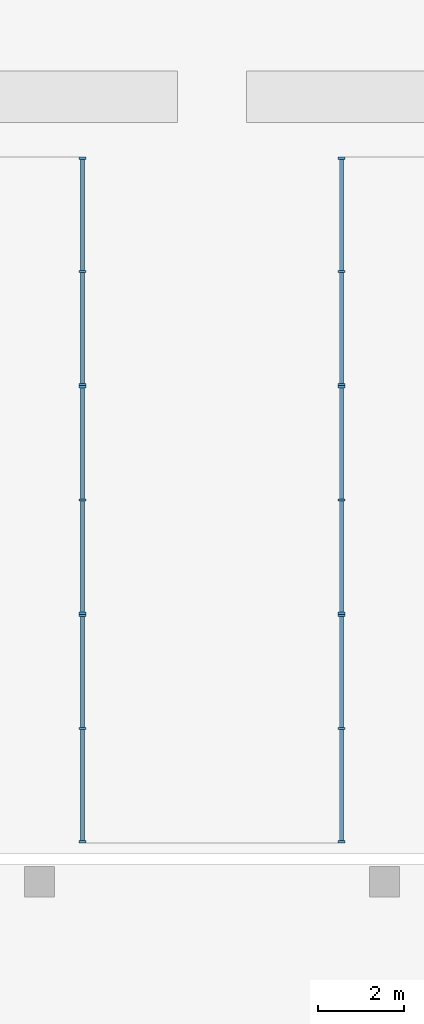
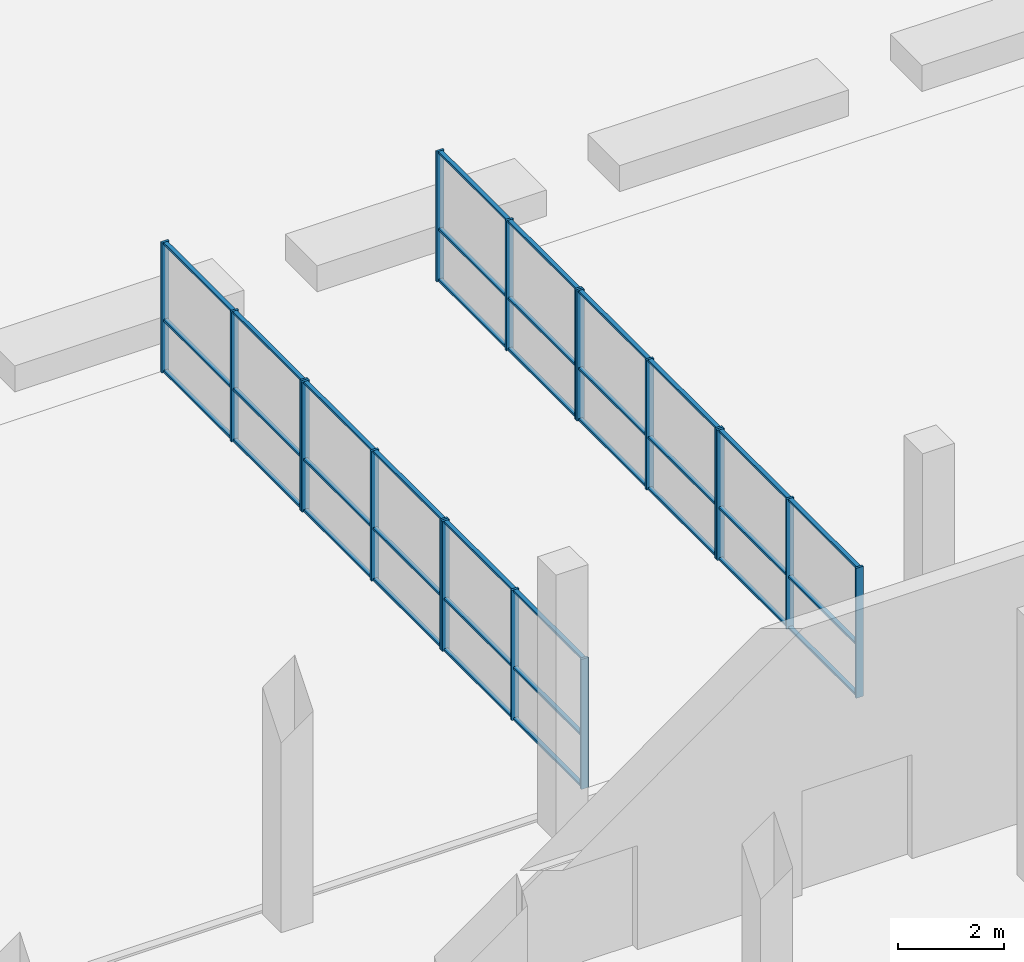
# One storey, part 2 of 51: 54 members, 6 elements without a shape of their own.
"""IFC4 building model written with IfcOpenShell, lengths in metres."""

from ifc_helpers import new_model, si_unit, direction, frame, origin, origin_2d, place, context, subcontext, project, spatial, rectangle, extrude, material, layer, layer_set, material_profile, profile_set, type_object, element, aggregate, save


model = new_model("IFC4")

# Units and contexts
model_context = context("Model", 3, precision=1e-05, world=origin(), true_north=direction((0.0, 1.0)))
body_context = subcontext(model_context, "Body", "Model", "MODEL_VIEW")
ifc_project = project(units=[si_unit("LENGTHUNIT", "METRE"), si_unit("AREAUNIT", "SQUARE_METRE"), si_unit("VOLUMEUNIT", "CUBIC_METRE"), si_unit("PLANEANGLEUNIT", "RADIAN"), si_unit("MASSUNIT", "GRAM", prefix="KILO")], contexts=[model_context])

# Site, building, storey
site_placement = place(None, origin())
site = spatial("IfcSite", under=ifc_project, at=site_placement, CompositionType="ELEMENT")
building_placement = place(site_placement, origin())
building = spatial("IfcBuilding", under=site, at=building_placement, Name="Kiln Ring Residences", CompositionType="ELEMENT")
storey_placement = place(building_placement, origin())
storey = spatial("IfcBuildingStorey", under=building, at=storey_placement, Name="L00", CompositionType="ELEMENT", Elevation=0.0)

# Curtain wall, members
ifc_material_1 = material(Name="Aluminium and glass", Category="aluminium")
ifc_layer = layer(ifc_material_1, 0.159912109375)
ifc_layer_set = layer_set([ifc_layer], Name="CW6 CURTAIN WALL")
curtain_wall_type = type_object("IfcCurtainWallType", Name="CW6 CURTAIN WALL", PredefinedType="NOTDEFINED", material=ifc_layer_set)
placement = place(storey_placement, origin())
curtain_wall_1 = element("IfcCurtainWall", 1, at=placement, inside=storey, type_object=curtain_wall_type, Name="Curtain wall CW6 L00", PredefinedType="NOTDEFINED")
ifc_material_2 = material(Name="Aluminium 6063-T6", Category="aluminium")
ifc_material_profile_1 = material_profile(ifc_material_2, rectangle(XDim=0.159912109375, YDim=0.050048828125, at=origin_2d()), Name="AL 160x50")
ifc_profile_set_1 = profile_set([ifc_material_profile_1], Name="Aluminium 6063-T6")
member_type_1 = type_object("IfcMemberType", Name="CW6 MULLION 160 x 50", PredefinedType="MULLION", material=ifc_profile_set_1)
member_1_placement = place(storey_placement, frame((-3.0, -96.02490234375, 0.0), z_axis=(0.0, 0.0, 1.0), x_axis=(1.0, 0.0, 0.0)))
member_1 = element("IfcMember", 2, at=member_1_placement, type_object=member_type_1, Name="CW6 mullion 1", PredefinedType="MULLION", context=body_context, shape_type="SweptSolid", body=[
    extrude(rectangle(XDim=0.159912109375, YDim=0.050048828125, at=origin_2d()), origin(), (0.0, 0.0, 1.0), 3.0),
])
member_2_placement = place(storey_placement, frame((-3.0, -98.64990234375, 0.0), z_axis=(0.0, 0.0, 1.0), x_axis=(1.0, 0.0, 0.0)))
member_2 = element("IfcMember", 3, at=member_2_placement, type_object=member_type_1, Name="CW6 mullion 2", PredefinedType="MULLION", context=body_context, shape_type="SweptSolid", body=[
    extrude(rectangle(XDim=0.159912109375, YDim=0.050048828125, at=origin_2d()), origin(), (0.0, 0.0, 1.0), 3.0),
])
member_3_placement = place(storey_placement, frame((-3.0, -101.27490234375, 0.0), z_axis=(0.0, 0.0, 1.0), x_axis=(1.0, 0.0, 0.0)))
member_3 = element("IfcMember", 4, at=member_3_placement, type_object=member_type_1, Name="CW6 mullion 3", PredefinedType="MULLION", context=body_context, shape_type="SweptSolid", body=[
    extrude(rectangle(XDim=0.159912109375, YDim=0.050048828125, at=origin_2d()), origin(), (0.0, 0.0, 1.0), 3.0),
])

curtain_wall_2 = element("IfcCurtainWall", 5, at=placement, inside=storey, type_object=curtain_wall_type, Name="Curtain wall CW6 L00", PredefinedType="NOTDEFINED")
member_4_placement = place(storey_placement, frame((-3.0, -101.324951171875, 0.0), z_axis=(0.0, 0.0, 1.0), x_axis=(1.0, 0.0, 0.0)))
member_4 = element("IfcMember", 6, at=member_4_placement, type_object=member_type_1, Name="CW6 mullion 1", PredefinedType="MULLION", context=body_context, shape_type="SweptSolid", body=[
    extrude(rectangle(XDim=0.159912109375, YDim=0.050048828125, at=origin_2d()), origin(), (0.0, 0.0, 1.0), 3.0),
])
member_5_placement = place(storey_placement, frame((-3.0, -103.949951171875, 0.0), z_axis=(0.0, 0.0, 1.0), x_axis=(1.0, 0.0, 0.0)))
member_5 = element("IfcMember", 7, at=member_5_placement, type_object=member_type_1, Name="CW6 mullion 2", PredefinedType="MULLION", context=body_context, shape_type="SweptSolid", body=[
    extrude(rectangle(XDim=0.159912109375, YDim=0.050048828125, at=origin_2d()), origin(), (0.0, 0.0, 1.0), 3.0),
])
member_6_placement = place(storey_placement, frame((-3.0, -106.574951171875, 0.0), z_axis=(0.0, 0.0, 1.0), x_axis=(1.0, 0.0, 0.0)))
member_6 = element("IfcMember", 8, at=member_6_placement, type_object=member_type_1, Name="CW6 mullion 3", PredefinedType="MULLION", context=body_context, shape_type="SweptSolid", body=[
    extrude(rectangle(XDim=0.159912109375, YDim=0.050048828125, at=origin_2d()), origin(), (0.0, 0.0, 1.0), 3.0),
])

curtain_wall_3 = element("IfcCurtainWall", 9, at=placement, inside=storey, type_object=curtain_wall_type, Name="Curtain wall CW6 L00", PredefinedType="NOTDEFINED")
member_7_placement = place(storey_placement, frame((-3.0, -106.625, 0.0), z_axis=(0.0, 0.0, 1.0), x_axis=(1.0, 0.0, 0.0)))
member_7 = element("IfcMember", 10, at=member_7_placement, type_object=member_type_1, Name="CW6 mullion 1", PredefinedType="MULLION", context=body_context, shape_type="SweptSolid", body=[
    extrude(rectangle(XDim=0.159912109375, YDim=0.050048828125, at=origin_2d()), origin(), (0.0, 0.0, 1.0), 3.0),
])
member_8_placement = place(storey_placement, frame((-3.0, -109.25, 0.0), z_axis=(0.0, 0.0, 1.0), x_axis=(1.0, 0.0, 0.0)))
member_8 = element("IfcMember", 11, at=member_8_placement, type_object=member_type_1, Name="CW6 mullion 2", PredefinedType="MULLION", context=body_context, shape_type="SweptSolid", body=[
    extrude(rectangle(XDim=0.159912109375, YDim=0.050048828125, at=origin_2d()), origin(), (0.0, 0.0, 1.0), 3.0),
])
member_9_placement = place(storey_placement, frame((-3.0, -111.875, 0.0), z_axis=(0.0, 0.0, 1.0), x_axis=(1.0, 0.0, 0.0)))
member_9 = element("IfcMember", 12, at=member_9_placement, type_object=member_type_1, Name="CW6 mullion 3", PredefinedType="MULLION", context=body_context, shape_type="SweptSolid", body=[
    extrude(rectangle(XDim=0.159912109375, YDim=0.050048828125, at=origin_2d()), origin(), (0.0, 0.0, 1.0), 3.0),
])

curtain_wall_4 = element("IfcCurtainWall", 13, at=placement, inside=storey, type_object=curtain_wall_type, Name="Curtain wall CW6 L00", PredefinedType="NOTDEFINED")
member_10_placement = place(storey_placement, frame((3.0, -96.02490234375, 0.0), z_axis=(0.0, 0.0, 1.0), x_axis=(1.0, 0.0, 0.0)))
member_10 = element("IfcMember", 14, at=member_10_placement, type_object=member_type_1, Name="CW6 mullion 1", PredefinedType="MULLION", context=body_context, shape_type="SweptSolid", body=[
    extrude(rectangle(XDim=0.159912109375, YDim=0.050048828125, at=origin_2d()), origin(), (0.0, 0.0, 1.0), 3.0),
])
member_11_placement = place(storey_placement, frame((3.0, -98.64990234375, 0.0), z_axis=(0.0, 0.0, 1.0), x_axis=(1.0, 0.0, 0.0)))
member_11 = element("IfcMember", 15, at=member_11_placement, type_object=member_type_1, Name="CW6 mullion 2", PredefinedType="MULLION", context=body_context, shape_type="SweptSolid", body=[
    extrude(rectangle(XDim=0.159912109375, YDim=0.050048828125, at=origin_2d()), origin(), (0.0, 0.0, 1.0), 3.0),
])
member_12_placement = place(storey_placement, frame((3.0, -101.27490234375, 0.0), z_axis=(0.0, 0.0, 1.0), x_axis=(1.0, 0.0, 0.0)))
member_12 = element("IfcMember", 16, at=member_12_placement, type_object=member_type_1, Name="CW6 mullion 3", PredefinedType="MULLION", context=body_context, shape_type="SweptSolid", body=[
    extrude(rectangle(XDim=0.159912109375, YDim=0.050048828125, at=origin_2d()), origin(), (0.0, 0.0, 1.0), 3.0),
])

curtain_wall_5 = element("IfcCurtainWall", 17, at=placement, inside=storey, type_object=curtain_wall_type, Name="Curtain wall CW6 L00", PredefinedType="NOTDEFINED")
member_13_placement = place(storey_placement, frame((3.0, -101.324951171875, 0.0), z_axis=(0.0, 0.0, 1.0), x_axis=(1.0, 0.0, 0.0)))
member_13 = element("IfcMember", 18, at=member_13_placement, type_object=member_type_1, Name="CW6 mullion 1", PredefinedType="MULLION", context=body_context, shape_type="SweptSolid", body=[
    extrude(rectangle(XDim=0.159912109375, YDim=0.050048828125, at=origin_2d()), origin(), (0.0, 0.0, 1.0), 3.0),
])
member_14_placement = place(storey_placement, frame((3.0, -103.949951171875, 0.0), z_axis=(0.0, 0.0, 1.0), x_axis=(1.0, 0.0, 0.0)))
member_14 = element("IfcMember", 19, at=member_14_placement, type_object=member_type_1, Name="CW6 mullion 2", PredefinedType="MULLION", context=body_context, shape_type="SweptSolid", body=[
    extrude(rectangle(XDim=0.159912109375, YDim=0.050048828125, at=origin_2d()), origin(), (0.0, 0.0, 1.0), 3.0),
])
member_15_placement = place(storey_placement, frame((3.0, -106.574951171875, 0.0), z_axis=(0.0, 0.0, 1.0), x_axis=(1.0, 0.0, 0.0)))
member_15 = element("IfcMember", 20, at=member_15_placement, type_object=member_type_1, Name="CW6 mullion 3", PredefinedType="MULLION", context=body_context, shape_type="SweptSolid", body=[
    extrude(rectangle(XDim=0.159912109375, YDim=0.050048828125, at=origin_2d()), origin(), (0.0, 0.0, 1.0), 3.0),
])

curtain_wall_6 = element("IfcCurtainWall", 21, at=placement, inside=storey, type_object=curtain_wall_type, Name="Curtain wall CW6 L00", PredefinedType="NOTDEFINED")
member_16_placement = place(storey_placement, frame((3.0, -106.625, 0.0), z_axis=(0.0, 0.0, 1.0), x_axis=(1.0, 0.0, 0.0)))
member_16 = element("IfcMember", 22, at=member_16_placement, type_object=member_type_1, Name="CW6 mullion 1", PredefinedType="MULLION", context=body_context, shape_type="SweptSolid", body=[
    extrude(rectangle(XDim=0.159912109375, YDim=0.050048828125, at=origin_2d()), origin(), (0.0, 0.0, 1.0), 3.0),
])
member_17_placement = place(storey_placement, frame((3.0, -109.25, 0.0), z_axis=(0.0, 0.0, 1.0), x_axis=(1.0, 0.0, 0.0)))
member_17 = element("IfcMember", 23, at=member_17_placement, type_object=member_type_1, Name="CW6 mullion 2", PredefinedType="MULLION", context=body_context, shape_type="SweptSolid", body=[
    extrude(rectangle(XDim=0.159912109375, YDim=0.050048828125, at=origin_2d()), origin(), (0.0, 0.0, 1.0), 3.0),
])
member_18_placement = place(storey_placement, frame((3.0, -111.875, 0.0), z_axis=(0.0, 0.0, 1.0), x_axis=(1.0, 0.0, 0.0)))
member_18 = element("IfcMember", 24, at=member_18_placement, type_object=member_type_1, Name="CW6 mullion 3", PredefinedType="MULLION", context=body_context, shape_type="SweptSolid", body=[
    extrude(rectangle(XDim=0.159912109375, YDim=0.050048828125, at=origin_2d()), origin(), (0.0, 0.0, 1.0), 3.0),
])

# Member
ifc_material_3 = material(Name="Aluminium 6063-T6", Category="aluminium")
ifc_material_profile_2 = material_profile(ifc_material_3, rectangle(XDim=0.090087890625, YDim=0.050048828125, at=origin_2d()), Name="AL 90x50")
ifc_profile_set_2 = profile_set([ifc_material_profile_2], Name="Aluminium 6063-T6")
member_type_2 = type_object("IfcMemberType", Name="CW6 TRANSOM 90 x 50", PredefinedType="USERDEFINED", material=ifc_profile_set_2)
member_19_placement = place(storey_placement, frame((-3.0, -96.050048828125, 0.02490234375), z_axis=(0.0, -1.0, 0.0), x_axis=(1.0, 0.0, 0.0)))
member_19 = element("IfcMember", 25, at=member_19_placement, type_object=member_type_2, Name="CW6 transom 1.1", ObjectType="TRANSOM", PredefinedType="USERDEFINED", context=body_context, shape_type="SweptSolid", body=[
    extrude(rectangle(XDim=0.090087890625, YDim=0.050048828125, at=origin_2d()), origin(), (0.0, 0.0, 1.0), 2.574951171875),
])

member_20_placement = place(storey_placement, frame((-3.0, -96.050048828125, 1.199951171875), z_axis=(0.0, -1.0, 0.0), x_axis=(1.0, 0.0, 0.0)))
member_20 = element("IfcMember", 26, at=member_20_placement, type_object=member_type_2, Name="CW6 transom 1.2", ObjectType="TRANSOM", PredefinedType="USERDEFINED", context=body_context, shape_type="SweptSolid", body=[
    extrude(rectangle(XDim=0.090087890625, YDim=0.050048828125, at=origin_2d()), origin(), (0.0, 0.0, 1.0), 2.574951171875),
])

member_21_placement = place(storey_placement, frame((-3.0, -96.050048828125, 2.97509765625), z_axis=(0.0, -1.0, 0.0), x_axis=(1.0, 0.0, 0.0)))
member_21 = element("IfcMember", 27, at=member_21_placement, type_object=member_type_2, Name="CW6 transom 1.3", ObjectType="TRANSOM", PredefinedType="USERDEFINED", context=body_context, shape_type="SweptSolid", body=[
    extrude(rectangle(XDim=0.090087890625, YDim=0.050048828125, at=origin_2d()), origin(), (0.0, 0.0, 1.0), 2.574951171875),
])

member_22_placement = place(storey_placement, frame((-3.0, -98.675048828125, 0.02490234375), z_axis=(0.0, -1.0, 0.0), x_axis=(1.0, 0.0, 0.0)))
member_22 = element("IfcMember", 28, at=member_22_placement, type_object=member_type_2, Name="CW6 transom 2.1", ObjectType="TRANSOM", PredefinedType="USERDEFINED", context=body_context, shape_type="SweptSolid", body=[
    extrude(rectangle(XDim=0.090087890625, YDim=0.050048828125, at=origin_2d()), origin(), (0.0, 0.0, 1.0), 2.574951171875),
])

member_23_placement = place(storey_placement, frame((-3.0, -98.675048828125, 1.199951171875), z_axis=(0.0, -1.0, 0.0), x_axis=(1.0, 0.0, 0.0)))
member_23 = element("IfcMember", 29, at=member_23_placement, type_object=member_type_2, Name="CW6 transom 2.2", ObjectType="TRANSOM", PredefinedType="USERDEFINED", context=body_context, shape_type="SweptSolid", body=[
    extrude(rectangle(XDim=0.090087890625, YDim=0.050048828125, at=origin_2d()), origin(), (0.0, 0.0, 1.0), 2.574951171875),
])

member_24_placement = place(storey_placement, frame((-3.0, -98.675048828125, 2.97509765625), z_axis=(0.0, -1.0, 0.0), x_axis=(1.0, 0.0, 0.0)))
member_24 = element("IfcMember", 30, at=member_24_placement, type_object=member_type_2, Name="CW6 transom 2.3", ObjectType="TRANSOM", PredefinedType="USERDEFINED", context=body_context, shape_type="SweptSolid", body=[
    extrude(rectangle(XDim=0.090087890625, YDim=0.050048828125, at=origin_2d()), origin(), (0.0, 0.0, 1.0), 2.574951171875),
])

aggregate(curtain_wall_1, [member_1, member_2, member_3, member_19, member_20, member_21, member_22, member_23, member_24])

member_25_placement = place(storey_placement, frame((-3.0, -101.35009765625, 0.02490234375), z_axis=(0.0, -1.0, 0.0), x_axis=(1.0, 0.0, 0.0)))
member_25 = element("IfcMember", 31, at=member_25_placement, type_object=member_type_2, Name="CW6 transom 1.1", ObjectType="TRANSOM", PredefinedType="USERDEFINED", context=body_context, shape_type="SweptSolid", body=[
    extrude(rectangle(XDim=0.090087890625, YDim=0.050048828125, at=origin_2d()), origin(), (0.0, 0.0, 1.0), 2.574951171875),
])

member_26_placement = place(storey_placement, frame((-3.0, -101.35009765625, 1.199951171875), z_axis=(0.0, -1.0, 0.0), x_axis=(1.0, 0.0, 0.0)))
member_26 = element("IfcMember", 32, at=member_26_placement, type_object=member_type_2, Name="CW6 transom 1.2", ObjectType="TRANSOM", PredefinedType="USERDEFINED", context=body_context, shape_type="SweptSolid", body=[
    extrude(rectangle(XDim=0.090087890625, YDim=0.050048828125, at=origin_2d()), origin(), (0.0, 0.0, 1.0), 2.574951171875),
])

member_27_placement = place(storey_placement, frame((-3.0, -101.35009765625, 2.97509765625), z_axis=(0.0, -1.0, 0.0), x_axis=(1.0, 0.0, 0.0)))
member_27 = element("IfcMember", 33, at=member_27_placement, type_object=member_type_2, Name="CW6 transom 1.3", ObjectType="TRANSOM", PredefinedType="USERDEFINED", context=body_context, shape_type="SweptSolid", body=[
    extrude(rectangle(XDim=0.090087890625, YDim=0.050048828125, at=origin_2d()), origin(), (0.0, 0.0, 1.0), 2.574951171875),
])

member_28_placement = place(storey_placement, frame((-3.0, -103.97509765625, 0.02490234375), z_axis=(0.0, -1.0, 0.0), x_axis=(1.0, 0.0, 0.0)))
member_28 = element("IfcMember", 34, at=member_28_placement, type_object=member_type_2, Name="CW6 transom 2.1", ObjectType="TRANSOM", PredefinedType="USERDEFINED", context=body_context, shape_type="SweptSolid", body=[
    extrude(rectangle(XDim=0.090087890625, YDim=0.050048828125, at=origin_2d()), origin(), (0.0, 0.0, 1.0), 2.574951171875),
])

member_29_placement = place(storey_placement, frame((-3.0, -103.97509765625, 1.199951171875), z_axis=(0.0, -1.0, 0.0), x_axis=(1.0, 0.0, 0.0)))
member_29 = element("IfcMember", 35, at=member_29_placement, type_object=member_type_2, Name="CW6 transom 2.2", ObjectType="TRANSOM", PredefinedType="USERDEFINED", context=body_context, shape_type="SweptSolid", body=[
    extrude(rectangle(XDim=0.090087890625, YDim=0.050048828125, at=origin_2d()), origin(), (0.0, 0.0, 1.0), 2.574951171875),
])

member_30_placement = place(storey_placement, frame((-3.0, -103.97509765625, 2.97509765625), z_axis=(0.0, -1.0, 0.0), x_axis=(1.0, 0.0, 0.0)))
member_30 = element("IfcMember", 36, at=member_30_placement, type_object=member_type_2, Name="CW6 transom 2.3", ObjectType="TRANSOM", PredefinedType="USERDEFINED", context=body_context, shape_type="SweptSolid", body=[
    extrude(rectangle(XDim=0.090087890625, YDim=0.050048828125, at=origin_2d()), origin(), (0.0, 0.0, 1.0), 2.574951171875),
])

aggregate(curtain_wall_2, [member_4, member_5, member_6, member_25, member_26, member_27, member_28, member_29, member_30])

member_31_placement = place(storey_placement, frame((-3.0, -106.64990234375, 0.02490234375), z_axis=(0.0, -1.0, 0.0), x_axis=(1.0, 0.0, 0.0)))
member_31 = element("IfcMember", 37, at=member_31_placement, type_object=member_type_2, Name="CW6 transom 1.1", ObjectType="TRANSOM", PredefinedType="USERDEFINED", context=body_context, shape_type="SweptSolid", body=[
    extrude(rectangle(XDim=0.090087890625, YDim=0.050048828125, at=origin_2d()), origin(), (0.0, 0.0, 1.0), 2.5751953125),
])

member_32_placement = place(storey_placement, frame((-3.0, -106.64990234375, 1.199951171875), z_axis=(0.0, -1.0, 0.0), x_axis=(1.0, 0.0, 0.0)))
member_32 = element("IfcMember", 38, at=member_32_placement, type_object=member_type_2, Name="CW6 transom 1.2", ObjectType="TRANSOM", PredefinedType="USERDEFINED", context=body_context, shape_type="SweptSolid", body=[
    extrude(rectangle(XDim=0.090087890625, YDim=0.050048828125, at=origin_2d()), origin(), (0.0, 0.0, 1.0), 2.5751953125),
])

member_33_placement = place(storey_placement, frame((-3.0, -106.64990234375, 2.97509765625), z_axis=(0.0, -1.0, 0.0), x_axis=(1.0, 0.0, 0.0)))
member_33 = element("IfcMember", 39, at=member_33_placement, type_object=member_type_2, Name="CW6 transom 1.3", ObjectType="TRANSOM", PredefinedType="USERDEFINED", context=body_context, shape_type="SweptSolid", body=[
    extrude(rectangle(XDim=0.090087890625, YDim=0.050048828125, at=origin_2d()), origin(), (0.0, 0.0, 1.0), 2.5751953125),
])

member_34_placement = place(storey_placement, frame((-3.0, -109.27490234375, 0.02490234375), z_axis=(0.0, -1.0, 0.0), x_axis=(1.0, 0.0, 0.0)))
member_34 = element("IfcMember", 40, at=member_34_placement, type_object=member_type_2, Name="CW6 transom 2.1", ObjectType="TRANSOM", PredefinedType="USERDEFINED", context=body_context, shape_type="SweptSolid", body=[
    extrude(rectangle(XDim=0.090087890625, YDim=0.050048828125, at=origin_2d()), origin(), (0.0, 0.0, 1.0), 2.5751953125),
])

member_35_placement = place(storey_placement, frame((-3.0, -109.27490234375, 1.199951171875), z_axis=(0.0, -1.0, 0.0), x_axis=(1.0, 0.0, 0.0)))
member_35 = element("IfcMember", 41, at=member_35_placement, type_object=member_type_2, Name="CW6 transom 2.2", ObjectType="TRANSOM", PredefinedType="USERDEFINED", context=body_context, shape_type="SweptSolid", body=[
    extrude(rectangle(XDim=0.090087890625, YDim=0.050048828125, at=origin_2d()), origin(), (0.0, 0.0, 1.0), 2.5751953125),
])

member_36_placement = place(storey_placement, frame((-3.0, -109.27490234375, 2.97509765625), z_axis=(0.0, -1.0, 0.0), x_axis=(1.0, 0.0, 0.0)))
member_36 = element("IfcMember", 42, at=member_36_placement, type_object=member_type_2, Name="CW6 transom 2.3", ObjectType="TRANSOM", PredefinedType="USERDEFINED", context=body_context, shape_type="SweptSolid", body=[
    extrude(rectangle(XDim=0.090087890625, YDim=0.050048828125, at=origin_2d()), origin(), (0.0, 0.0, 1.0), 2.5751953125),
])

aggregate(curtain_wall_3, [member_7, member_8, member_9, member_31, member_32, member_33, member_34, member_35, member_36])

member_37_placement = place(storey_placement, frame((3.0, -96.050048828125, 0.02490234375), z_axis=(0.0, -1.0, 0.0), x_axis=(1.0, 0.0, 0.0)))
member_37 = element("IfcMember", 43, at=member_37_placement, type_object=member_type_2, Name="CW6 transom 1.1", ObjectType="TRANSOM", PredefinedType="USERDEFINED", context=body_context, shape_type="SweptSolid", body=[
    extrude(rectangle(XDim=0.090087890625, YDim=0.050048828125, at=origin_2d()), origin(), (0.0, 0.0, 1.0), 2.574951171875),
])

member_38_placement = place(storey_placement, frame((3.0, -96.050048828125, 1.199951171875), z_axis=(0.0, -1.0, 0.0), x_axis=(1.0, 0.0, 0.0)))
member_38 = element("IfcMember", 44, at=member_38_placement, type_object=member_type_2, Name="CW6 transom 1.2", ObjectType="TRANSOM", PredefinedType="USERDEFINED", context=body_context, shape_type="SweptSolid", body=[
    extrude(rectangle(XDim=0.090087890625, YDim=0.050048828125, at=origin_2d()), origin(), (0.0, 0.0, 1.0), 2.574951171875),
])

member_39_placement = place(storey_placement, frame((3.0, -96.050048828125, 2.97509765625), z_axis=(0.0, -1.0, 0.0), x_axis=(1.0, 0.0, 0.0)))
member_39 = element("IfcMember", 45, at=member_39_placement, type_object=member_type_2, Name="CW6 transom 1.3", ObjectType="TRANSOM", PredefinedType="USERDEFINED", context=body_context, shape_type="SweptSolid", body=[
    extrude(rectangle(XDim=0.090087890625, YDim=0.050048828125, at=origin_2d()), origin(), (0.0, 0.0, 1.0), 2.574951171875),
])

member_40_placement = place(storey_placement, frame((3.0, -98.675048828125, 0.02490234375), z_axis=(0.0, -1.0, 0.0), x_axis=(1.0, 0.0, 0.0)))
member_40 = element("IfcMember", 46, at=member_40_placement, type_object=member_type_2, Name="CW6 transom 2.1", ObjectType="TRANSOM", PredefinedType="USERDEFINED", context=body_context, shape_type="SweptSolid", body=[
    extrude(rectangle(XDim=0.090087890625, YDim=0.050048828125, at=origin_2d()), origin(), (0.0, 0.0, 1.0), 2.574951171875),
])

member_41_placement = place(storey_placement, frame((3.0, -98.675048828125, 1.199951171875), z_axis=(0.0, -1.0, 0.0), x_axis=(1.0, 0.0, 0.0)))
member_41 = element("IfcMember", 47, at=member_41_placement, type_object=member_type_2, Name="CW6 transom 2.2", ObjectType="TRANSOM", PredefinedType="USERDEFINED", context=body_context, shape_type="SweptSolid", body=[
    extrude(rectangle(XDim=0.090087890625, YDim=0.050048828125, at=origin_2d()), origin(), (0.0, 0.0, 1.0), 2.574951171875),
])

member_42_placement = place(storey_placement, frame((3.0, -98.675048828125, 2.97509765625), z_axis=(0.0, -1.0, 0.0), x_axis=(1.0, 0.0, 0.0)))
member_42 = element("IfcMember", 48, at=member_42_placement, type_object=member_type_2, Name="CW6 transom 2.3", ObjectType="TRANSOM", PredefinedType="USERDEFINED", context=body_context, shape_type="SweptSolid", body=[
    extrude(rectangle(XDim=0.090087890625, YDim=0.050048828125, at=origin_2d()), origin(), (0.0, 0.0, 1.0), 2.574951171875),
])

aggregate(curtain_wall_4, [member_10, member_11, member_12, member_37, member_38, member_39, member_40, member_41, member_42])

member_43_placement = place(storey_placement, frame((3.0, -101.35009765625, 0.02490234375), z_axis=(0.0, -1.0, 0.0), x_axis=(1.0, 0.0, 0.0)))
member_43 = element("IfcMember", 49, at=member_43_placement, type_object=member_type_2, Name="CW6 transom 1.1", ObjectType="TRANSOM", PredefinedType="USERDEFINED", context=body_context, shape_type="SweptSolid", body=[
    extrude(rectangle(XDim=0.090087890625, YDim=0.050048828125, at=origin_2d()), origin(), (0.0, 0.0, 1.0), 2.574951171875),
])

member_44_placement = place(storey_placement, frame((3.0, -101.35009765625, 1.199951171875), z_axis=(0.0, -1.0, 0.0), x_axis=(1.0, 0.0, 0.0)))
member_44 = element("IfcMember", 50, at=member_44_placement, type_object=member_type_2, Name="CW6 transom 1.2", ObjectType="TRANSOM", PredefinedType="USERDEFINED", context=body_context, shape_type="SweptSolid", body=[
    extrude(rectangle(XDim=0.090087890625, YDim=0.050048828125, at=origin_2d()), origin(), (0.0, 0.0, 1.0), 2.574951171875),
])

member_45_placement = place(storey_placement, frame((3.0, -101.35009765625, 2.97509765625), z_axis=(0.0, -1.0, 0.0), x_axis=(1.0, 0.0, 0.0)))
member_45 = element("IfcMember", 51, at=member_45_placement, type_object=member_type_2, Name="CW6 transom 1.3", ObjectType="TRANSOM", PredefinedType="USERDEFINED", context=body_context, shape_type="SweptSolid", body=[
    extrude(rectangle(XDim=0.090087890625, YDim=0.050048828125, at=origin_2d()), origin(), (0.0, 0.0, 1.0), 2.574951171875),
])

member_46_placement = place(storey_placement, frame((3.0, -103.97509765625, 0.02490234375), z_axis=(0.0, -1.0, 0.0), x_axis=(1.0, 0.0, 0.0)))
member_46 = element("IfcMember", 52, at=member_46_placement, type_object=member_type_2, Name="CW6 transom 2.1", ObjectType="TRANSOM", PredefinedType="USERDEFINED", context=body_context, shape_type="SweptSolid", body=[
    extrude(rectangle(XDim=0.090087890625, YDim=0.050048828125, at=origin_2d()), origin(), (0.0, 0.0, 1.0), 2.574951171875),
])

member_47_placement = place(storey_placement, frame((3.0, -103.97509765625, 1.199951171875), z_axis=(0.0, -1.0, 0.0), x_axis=(1.0, 0.0, 0.0)))
member_47 = element("IfcMember", 53, at=member_47_placement, type_object=member_type_2, Name="CW6 transom 2.2", ObjectType="TRANSOM", PredefinedType="USERDEFINED", context=body_context, shape_type="SweptSolid", body=[
    extrude(rectangle(XDim=0.090087890625, YDim=0.050048828125, at=origin_2d()), origin(), (0.0, 0.0, 1.0), 2.574951171875),
])

member_48_placement = place(storey_placement, frame((3.0, -103.97509765625, 2.97509765625), z_axis=(0.0, -1.0, 0.0), x_axis=(1.0, 0.0, 0.0)))
member_48 = element("IfcMember", 54, at=member_48_placement, type_object=member_type_2, Name="CW6 transom 2.3", ObjectType="TRANSOM", PredefinedType="USERDEFINED", context=body_context, shape_type="SweptSolid", body=[
    extrude(rectangle(XDim=0.090087890625, YDim=0.050048828125, at=origin_2d()), origin(), (0.0, 0.0, 1.0), 2.574951171875),
])

aggregate(curtain_wall_5, [member_13, member_14, member_15, member_43, member_44, member_45, member_46, member_47, member_48])

member_49_placement = place(storey_placement, frame((3.0, -106.64990234375, 0.02490234375), z_axis=(0.0, -1.0, 0.0), x_axis=(1.0, 0.0, 0.0)))
member_49 = element("IfcMember", 55, at=member_49_placement, type_object=member_type_2, Name="CW6 transom 1.1", ObjectType="TRANSOM", PredefinedType="USERDEFINED", context=body_context, shape_type="SweptSolid", body=[
    extrude(rectangle(XDim=0.090087890625, YDim=0.050048828125, at=origin_2d()), origin(), (0.0, 0.0, 1.0), 2.5751953125),
])

member_50_placement = place(storey_placement, frame((3.0, -106.64990234375, 1.199951171875), z_axis=(0.0, -1.0, 0.0), x_axis=(1.0, 0.0, 0.0)))
member_50 = element("IfcMember", 56, at=member_50_placement, type_object=member_type_2, Name="CW6 transom 1.2", ObjectType="TRANSOM", PredefinedType="USERDEFINED", context=body_context, shape_type="SweptSolid", body=[
    extrude(rectangle(XDim=0.090087890625, YDim=0.050048828125, at=origin_2d()), origin(), (0.0, 0.0, 1.0), 2.5751953125),
])

member_51_placement = place(storey_placement, frame((3.0, -106.64990234375, 2.97509765625), z_axis=(0.0, -1.0, 0.0), x_axis=(1.0, 0.0, 0.0)))
member_51 = element("IfcMember", 57, at=member_51_placement, type_object=member_type_2, Name="CW6 transom 1.3", ObjectType="TRANSOM", PredefinedType="USERDEFINED", context=body_context, shape_type="SweptSolid", body=[
    extrude(rectangle(XDim=0.090087890625, YDim=0.050048828125, at=origin_2d()), origin(), (0.0, 0.0, 1.0), 2.5751953125),
])

member_52_placement = place(storey_placement, frame((3.0, -109.27490234375, 0.02490234375), z_axis=(0.0, -1.0, 0.0), x_axis=(1.0, 0.0, 0.0)))
member_52 = element("IfcMember", 58, at=member_52_placement, type_object=member_type_2, Name="CW6 transom 2.1", ObjectType="TRANSOM", PredefinedType="USERDEFINED", context=body_context, shape_type="SweptSolid", body=[
    extrude(rectangle(XDim=0.090087890625, YDim=0.050048828125, at=origin_2d()), origin(), (0.0, 0.0, 1.0), 2.5751953125),
])

member_53_placement = place(storey_placement, frame((3.0, -109.27490234375, 1.199951171875), z_axis=(0.0, -1.0, 0.0), x_axis=(1.0, 0.0, 0.0)))
member_53 = element("IfcMember", 59, at=member_53_placement, type_object=member_type_2, Name="CW6 transom 2.2", ObjectType="TRANSOM", PredefinedType="USERDEFINED", context=body_context, shape_type="SweptSolid", body=[
    extrude(rectangle(XDim=0.090087890625, YDim=0.050048828125, at=origin_2d()), origin(), (0.0, 0.0, 1.0), 2.5751953125),
])

member_54_placement = place(storey_placement, frame((3.0, -109.27490234375, 2.97509765625), z_axis=(0.0, -1.0, 0.0), x_axis=(1.0, 0.0, 0.0)))
member_54 = element("IfcMember", 60, at=member_54_placement, type_object=member_type_2, Name="CW6 transom 2.3", ObjectType="TRANSOM", PredefinedType="USERDEFINED", context=body_context, shape_type="SweptSolid", body=[
    extrude(rectangle(XDim=0.090087890625, YDim=0.050048828125, at=origin_2d()), origin(), (0.0, 0.0, 1.0), 2.5751953125),
])

aggregate(curtain_wall_6, [member_16, member_17, member_18, member_49, member_50, member_51, member_52, member_53, member_54])

save(model, "model.ifc")
